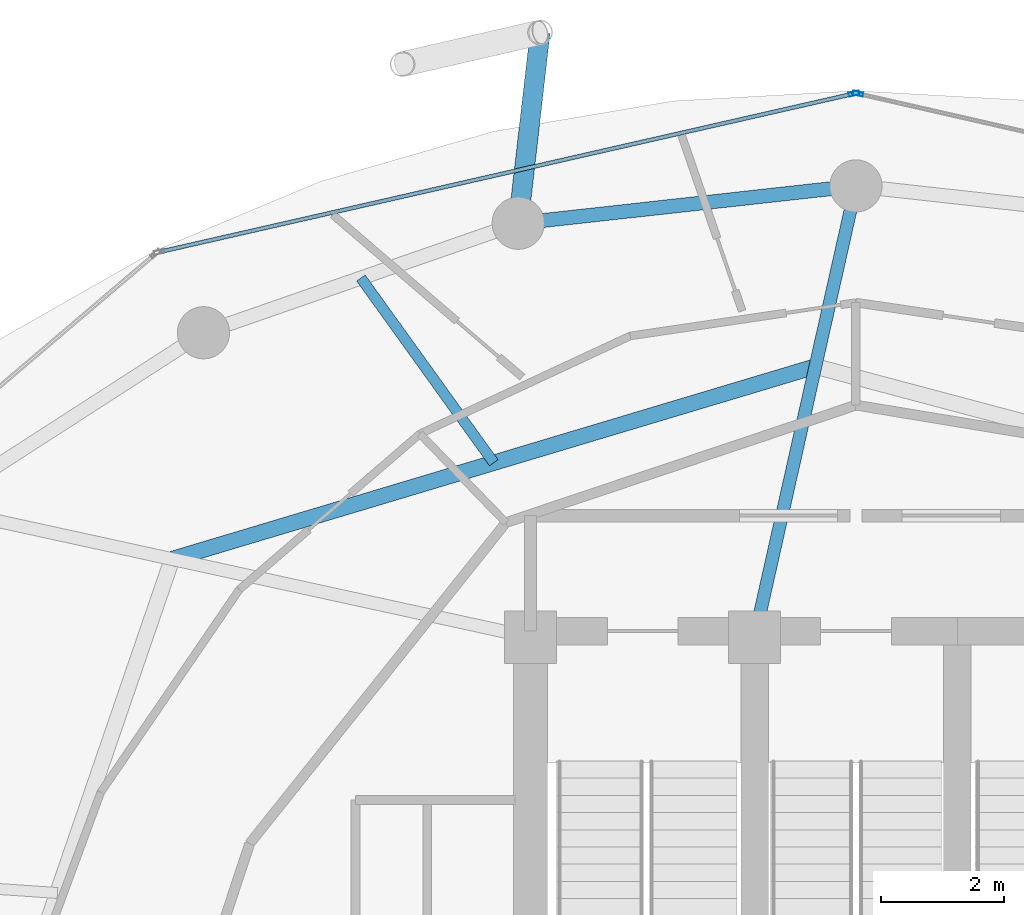
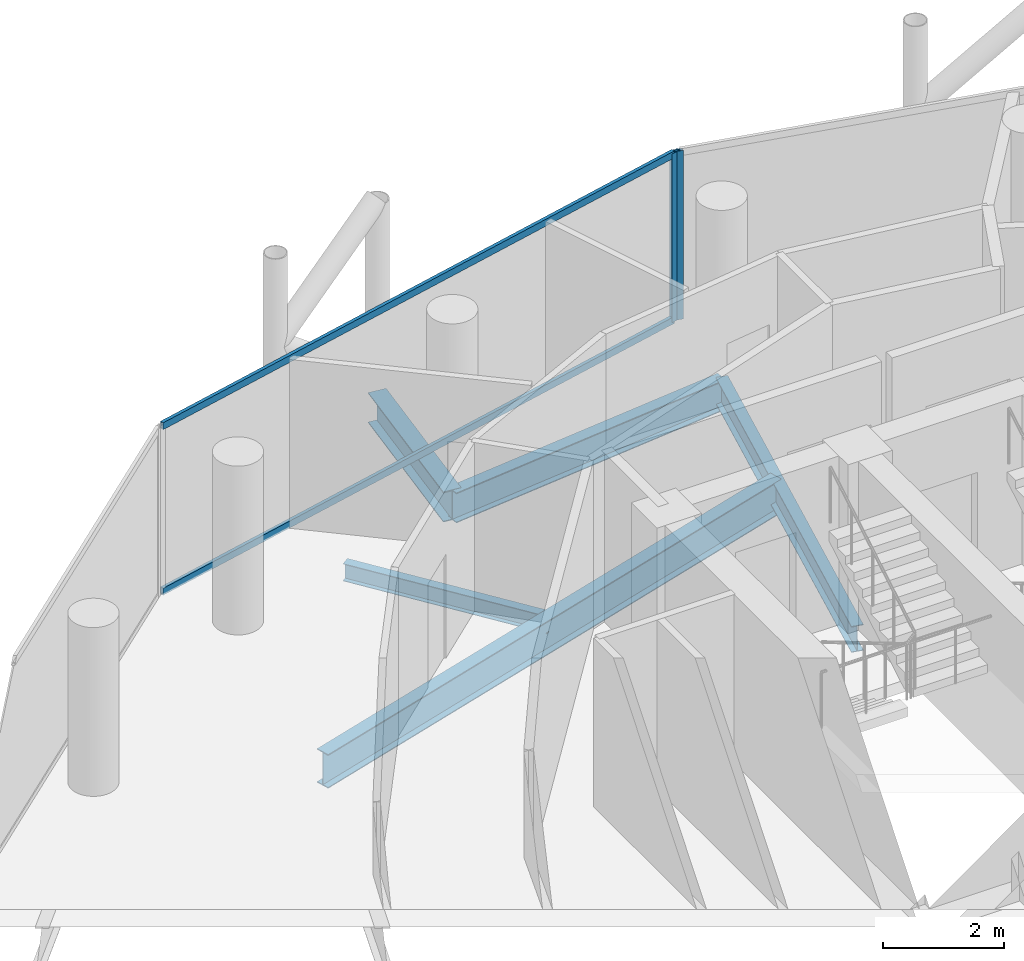
# One storey, part 19 of 27: 5 beams, 4 members, 2 elements without a shape of their own.
"""IFC4 building model written with IfcOpenShell, lengths in metres."""

import ifcopenshell
import ifcopenshell.guid

model = None  # the IFC model being written
_history = None  # IfcOwnerHistory: only IFC2X3 demands one
_inside = {}  # id of a spatial element -> (the spatial element, [elements in it])
_under = {}  # id of a project, library or spatial element -> (it, [spatial elements below it])
_declared = {}  # id of a project -> (the project, [libraries it declares])
_typed = {}  # id of a type object -> (the type object, [elements of that type])
_made_of = {}  # id of a material, layer set ... -> (it, [elements and type objects made of it])


def new_model(schema):
    """Start an empty IFC model of exactly this schema.

    Asked for "IFC4X3", IfcOpenShell would pick the latest addendum, in which some entities
    have other attributes; the version numbers below select the first issue.
    IFC2X3 requires an IfcOwnerHistory on every rooted entity: one is made here for all.
    """
    global model, _history
    if schema == "IFC4X3":
        model = ifcopenshell.file(schema_version=(4, 3, 0, 0))
    else:
        model = ifcopenshell.file(schema=schema)
    _inside.clear()
    _under.clear()
    _declared.clear()
    _typed.clear()
    _made_of.clear()
    _history = None
    if model.schema == "IFC2X3":
        org = make("IfcOrganization", Name="unknown")
        user = make(
            "IfcPersonAndOrganization",
            ThePerson=make("IfcPerson", FamilyName="unknown"),
            TheOrganization=org,
        )
        app = make(
            "IfcApplication",
            ApplicationDeveloper=org,
            Version="unknown",
            ApplicationFullName="unknown",
            ApplicationIdentifier="unknown",
        )
        _history = make(
            "IfcOwnerHistory",
            OwningUser=user,
            OwningApplication=app,
            ChangeAction="ADDED",
            CreationDate=0,
        )
    return model


def make(cls, **values):
    """One entity of the class cls with the attributes given. An attribute that is None is left unset."""
    return model.create_entity(
        cls, **{name: value for name, value in values.items() if value is not None}
    )


def rooted(cls, **values):
    """An entity with a GlobalId (a new one), such as an element, a storey or a relation."""
    return make(cls, GlobalId=ifcopenshell.guid.new(), OwnerHistory=_history, **values)


def si_unit(unit_type, name, prefix=None):
    """IfcSIUnit, for example si_unit("LENGTHUNIT", "METRE", prefix="MILLI")."""
    return make("IfcSIUnit", UnitType=unit_type, Prefix=prefix, Name=name)


def assignment(units):
    """IfcUnitAssignment: the units of a project."""
    return None if units is None else make("IfcUnitAssignment", Units=units)


def point(xyz):
    """IfcCartesianPoint."""
    return None if xyz is None else make("IfcCartesianPoint", Coordinates=xyz)


def direction(xyz):
    """IfcDirection."""
    return None if xyz is None else make("IfcDirection", DirectionRatios=xyz)


def frame(location, z_axis=None, x_axis=None):
    """IfcAxis2Placement3D, a coordinate frame: its origin and axes. An axis left out is left unset."""
    return make(
        "IfcAxis2Placement3D",
        Location=point(location),
        Axis=direction(z_axis),
        RefDirection=direction(x_axis),
    )


def frame_2d(location, x_axis=None):
    """IfcAxis2Placement2D, a coordinate frame in the plane: its origin and x axis."""
    return make(
        "IfcAxis2Placement2D", Location=point(location), RefDirection=direction(x_axis)
    )


def origin():
    """The frame at (0, 0, 0) with its axes left unset."""
    return frame((0.0, 0.0, 0.0))


def origin_2d():
    """The frame at (0, 0) in the plane with its x axis left unset."""
    return frame_2d((0.0, 0.0))


def place(relative_to, where):
    """IfcLocalPlacement: puts the frame where relative to a parent placement (None: the world)."""
    return make(
        "IfcLocalPlacement", PlacementRelTo=relative_to, RelativePlacement=where
    )


def context(
    kind, dimensions, precision=None, world=None, true_north=None, identifier=None
):
    """IfcGeometricRepresentationContext, for example the 3D "Model" context."""
    return make(
        "IfcGeometricRepresentationContext",
        ContextIdentifier=identifier,
        ContextType=kind,
        CoordinateSpaceDimension=dimensions,
        Precision=precision,
        WorldCoordinateSystem=world,
        TrueNorth=true_north,
    )


def subcontext(parent, identifier, kind, view, scale=None):
    """IfcGeometricRepresentationSubContext, for example "Body" below "Model"."""
    return make(
        "IfcGeometricRepresentationSubContext",
        ContextIdentifier=identifier,
        ContextType=kind,
        ParentContext=parent,
        TargetScale=scale,
        TargetView=view,
    )


def project(units=None, contexts=None):
    """IfcProject with its units and contexts."""
    return rooted(
        "IfcProject",
        Name="project",
        RepresentationContexts=contexts,
        UnitsInContext=assignment(units),
    )


def spatial(cls, under=None, at=None, **own):
    """A site, building, storey or space (cls), placed at a placement, below another one or the project."""
    s = rooted(cls, ObjectPlacement=at, **own)
    if under is not None:
        _under.setdefault(under.id(), (under, []))[1].append(s)
    return s


def profile(cls, at=None, kind="AREA", **sizes):
    """A parametric profile (cls). Its sizes go by their IFC names, for example OverallWidth=200.0."""
    return make(cls, ProfileType=kind, Position=at, **sizes)


def hollow_rectangle(**sizes):
    """IfcRectangleHollowProfileDef."""
    return profile("IfcRectangleHollowProfileDef", **sizes)


def i_section(**sizes):
    """IfcIShapeProfileDef."""
    return profile("IfcIShapeProfileDef", **sizes)


def extrude(swept, where, along, depth):
    """IfcExtrudedAreaSolid: the profile swept, set in the frame where, extruded along a direction by depth."""
    return make(
        "IfcExtrudedAreaSolid",
        SweptArea=swept,
        Position=where,
        ExtrudedDirection=direction(along),
        Depth=depth,
    )


def shape(context_of_items, identifier, shape_type, items):
    """IfcShapeRepresentation: the items that make up one representation, for example the "Body"."""
    return make(
        "IfcShapeRepresentation",
        ContextOfItems=context_of_items,
        RepresentationIdentifier=identifier,
        RepresentationType=shape_type,
        Items=items,
    )


def material(Name=None, Category=None):
    """IfcMaterial."""
    return make("IfcMaterial", Name=Name, Category=Category)


def layer(
    of_material, thickness, ventilated=None, Name=None, Category=None, Priority=None
):
    """IfcMaterialLayer: one layer of a wall or slab, of a material (None: an air gap)."""
    return make(
        "IfcMaterialLayer",
        Material=of_material,
        LayerThickness=thickness,
        IsVentilated=ventilated,
        Name=Name,
        Category=Category,
        Priority=Priority,
    )


def layer_set(layers, Name=None):
    """IfcMaterialLayerSet."""
    return make("IfcMaterialLayerSet", MaterialLayers=layers, LayerSetName=Name)


def material_profile(
    of_material, cross_section, Name=None, Category=None, Priority=None
):
    """IfcMaterialProfile: a cross section and its material."""
    return make(
        "IfcMaterialProfile",
        Name=Name,
        Material=of_material,
        Profile=cross_section,
        Priority=Priority,
        Category=Category,
    )


def profile_set(profiles, Name=None, composite=None):
    """IfcMaterialProfileSet."""
    return make(
        "IfcMaterialProfileSet",
        Name=Name,
        MaterialProfiles=profiles,
        CompositeProfile=composite,
    )


def made_of(thing, what):
    """Note that an element or type object is made of a material, layer set ...; save() writes the relation."""
    if what is not None:
        _made_of.setdefault(what.id(), (what, []))[1].append(thing)
    return thing


def type_object(cls, material=None, **own):
    """A type object (cls), such as IfcWallType, which elements share."""
    return made_of(rooted(cls, **own), material)


def element(
    cls,
    number,
    at=None,
    inside=None,
    cuts=None,
    type_object=None,
    material=None,
    context=None,
    identifier="Body",
    shape_type=None,
    held_by="IfcProductDefinitionShape",
    body=None,
    shapes=None,
    **own,
):
    """One element of the class cls, such as IfcWall. Its Tag is "e" and its number.

    at: its placement. inside: the storey or other place that contains it. cuts: it is an
    opening in that element (IfcRelVoidsElement). A single representation is given by context,
    identifier, shape_type and body (its items); several are given by shapes. held_by: the class
    of the entity that holds the representations. save() writes the other relations.
    """
    e = rooted(cls, Tag="e%d" % number, ObjectPlacement=at, **own)
    if body is not None:
        shapes = [shape(context, identifier, shape_type, body)]
    if shapes is not None:
        e.Representation = make(held_by, Representations=shapes)
    if inside is not None:
        _inside.setdefault(inside.id(), (inside, []))[1].append(e)
    if cuts is not None:
        rooted(
            "IfcRelVoidsElement", RelatingBuildingElement=cuts, RelatedOpeningElement=e
        )
    if type_object is not None:
        _typed.setdefault(type_object.id(), (type_object, []))[1].append(e)
    return made_of(e, material)


def aggregate(whole, parts):
    """IfcRelAggregates: a whole, such as a stair, and the parts it consists of."""
    return rooted("IfcRelAggregates", RelatingObject=whole, RelatedObjects=parts)


def save(model, path):
    """Write the relations noted so far, then the file.

    IfcRelAggregates (storeys below a building ...), IfcRelContainedInSpatialStructure (elements
    in a storey), IfcRelDefinesByType, IfcRelAssociatesMaterial and IfcRelDeclares: one each for
    every whole, place, type object, material and project.
    """
    for whole, parts in _under.values():
        aggregate(whole, parts)
    for where, things in _inside.values():
        rooted(
            "IfcRelContainedInSpatialStructure",
            RelatedElements=things,
            RelatingStructure=where,
        )
    for kind, things in _typed.values():
        rooted("IfcRelDefinesByType", RelatedObjects=things, RelatingType=kind)
    for what, things in _made_of.values():
        rooted("IfcRelAssociatesMaterial", RelatedObjects=things, RelatingMaterial=what)
    for by, libraries in _declared.values():
        rooted("IfcRelDeclares", RelatingContext=by, RelatedDefinitions=libraries)
    model.write(path)


model = new_model("IFC4")

# Units and contexts
model_context = context("Model", 3, precision=1e-05, world=origin(), true_north=direction((0.0, 1.0)))
body_context = subcontext(model_context, "Body", "Model", "MODEL_VIEW")
ifc_project = project(units=[si_unit("LENGTHUNIT", "METRE"), si_unit("AREAUNIT", "SQUARE_METRE"), si_unit("VOLUMEUNIT", "CUBIC_METRE"), si_unit("PLANEANGLEUNIT", "RADIAN"), si_unit("MASSUNIT", "GRAM", prefix="KILO")], contexts=[model_context])

# Site, building, storey
site_placement = place(None, origin())
site = spatial("IfcSite", under=ifc_project, at=site_placement, CompositionType="ELEMENT")
building_placement = place(site_placement, origin())
building = spatial("IfcBuilding", under=site, at=building_placement, Name="Nuhasar Tower", CompositionType="ELEMENT")
storey_placement = place(building_placement, frame((0.0, 0.0, 244.64990234375)))
storey = spatial("IfcBuildingStorey", under=building, at=storey_placement, Name="L60", CompositionType="ELEMENT", Elevation=244.64990234375)

# Beams
ifc_material_1 = material(Name="Steel S355", Category="steel")
ifc_material_profile_1 = material_profile(ifc_material_1, i_section(OverallWidth=0.25390625, OverallDepth=0.68408203125, WebThickness=0.012451171875, FlangeThickness=0.018798828125, at=origin_2d()), Name="W27X94")
ifc_profile_set_1 = profile_set([ifc_material_profile_1], Name="Steel S355")
beam_type_1 = type_object("IfcBeamType", Name="BM-INRING-W27X94", PredefinedType="BEAM", material=ifc_profile_set_1)
beam_1_placement = place(storey_placement, frame((38.340087890625, 41.7099609375, -0.581787109375), z_axis=(-0.957973628187, -0.28685628405, 0.0), x_axis=(0.28685628405, -0.957973628187, 0.0)))
element("IfcBeam", 1, at=beam_1_placement, inside=storey, type_object=beam_type_1, Name="L60 Inner Header Beam 06", PredefinedType="BEAM", context=body_context, shape_type="SweptSolid", body=[
    extrude(i_section(OverallWidth=0.25390625, OverallDepth=0.68408203125, WebThickness=0.012451171875, FlangeThickness=0.018798828125, at=origin_2d()), origin(), (0.0, 0.0, 1.0), 10.935546875),
])
ifc_material_profile_2 = material_profile(ifc_material_1, i_section(OverallWidth=0.1708984375, OverallDepth=0.35205078125, WebThickness=0.0068359375, FlangeThickness=0.009765625, at=origin_2d()), Name="W14X30")
ifc_profile_set_2 = profile_set([ifc_material_profile_2], Name="Steel S355")
beam_type_2 = type_object("IfcBeamType", Name="BM-JST-W14X30", PredefinedType="JOIST", material=ifc_profile_set_2)
beam_2_placement = place(storey_placement, frame((33.10205078125, 40.14208984375, -0.416015625), z_axis=(-0.58390205555, 0.811824112431, 0.0), x_axis=(-0.811824112431, -0.58390205555, 0.0)))
element("IfcBeam", 2, at=beam_2_placement, inside=storey, type_object=beam_type_2, Name="L60 Secondary Floor Joist 06", PredefinedType="JOIST", context=body_context, shape_type="SweptSolid", body=[
    extrude(i_section(OverallWidth=0.1708984375, OverallDepth=0.35205078125, WebThickness=0.0068359375, FlangeThickness=0.009765625, at=origin_2d()), origin(), (0.0, 0.0, 1.0), 3.706298828125),
])
ifc_material_profile_3 = material_profile(ifc_material_1, i_section(OverallWidth=0.208984375, OverallDepth=0.528076171875, WebThickness=0.009521484375, FlangeThickness=0.01318359375, at=origin_2d()), Name="W21X55")
ifc_profile_set_3 = profile_set([ifc_material_profile_3], Name="Steel S355")
beam_type_3 = type_object("IfcBeamType", Name="BM-RAD-W21X55", PredefinedType="BEAM", material=ifc_profile_set_3)
beam_3_placement = place(storey_placement, frame((37.35009765625, 37.300048828125, -0.50390625), z_axis=(0.219030156142, 0.975718089768, 0.0), x_axis=(-0.975718089768, 0.219030156142, 0.0)))
element("IfcBeam", 3, at=beam_3_placement, inside=storey, type_object=beam_type_3, Name="L60 Radial Floor Girder 06", PredefinedType="BEAM", context=body_context, shape_type="SweptSolid", body=[
    extrude(i_section(OverallWidth=0.208984375, OverallDepth=0.528076171875, WebThickness=0.009521484375, FlangeThickness=0.01318359375, at=origin_2d()), origin(), (0.0, 0.0, 1.0), 7.53271484375),
])
ifc_material_profile_4 = material_profile(ifc_material_1, i_section(OverallWidth=0.22802734375, OverallDepth=0.60791015625, WebThickness=0.01123046875, FlangeThickness=0.017333984375, at=origin_2d()), Name="W24X76")
ifc_profile_set_4 = profile_set([ifc_material_profile_4], Name="Steel S355")
beam_type_4 = type_object("IfcBeamType", Name="BM-RING-W24X76", PredefinedType="SPANDREL", material=ifc_profile_set_4)
beam_4_placement = place(storey_placement, frame((39.0, 44.64990234375, -0.5439453125), z_axis=(-0.993947060915, -0.109860093292, 0.0), x_axis=(0.109860093292, -0.993947060915, 0.0)))
element("IfcBeam", 4, at=beam_4_placement, inside=storey, type_object=beam_type_4, Name="L60 Perimeter Ring Spandrel 07", PredefinedType="SPANDREL", context=body_context, shape_type="SweptSolid", body=[
    extrude(i_section(OverallWidth=0.22802734375, OverallDepth=0.60791015625, WebThickness=0.01123046875, FlangeThickness=0.017333984375, at=origin_2d()), origin(), (0.0, 0.0, 1.0), 5.533447265625),
])
ifc_material_profile_5 = material_profile(ifc_material_1, i_section(OverallWidth=0.323974609375, OverallDepth=0.611083984375, WebThickness=0.0126953125, FlangeThickness=0.01904296875, at=origin_2d()), Name="W24X104")
ifc_profile_set_5 = profile_set([ifc_material_profile_5], Name="Steel S355")
beam_type_5 = type_object("IfcBeamType", Name="BM-TIE-W24X104", PredefinedType="BEAM", material=ifc_profile_set_5)
beam_5_placement = place(storey_placement, frame((33.5, 44.0419921875, -0.544921875), z_axis=(0.114132222314, 0.993465568517, 0.0), x_axis=(-0.993465568517, 0.114132222314, 0.0)))
element("IfcBeam", 5, at=beam_5_placement, inside=storey, type_object=beam_type_5, Name="L60 Exoskeleton Node Tie Beam 04", PredefinedType="BEAM", context=body_context, shape_type="SweptSolid", body=[
    extrude(i_section(OverallWidth=0.323974609375, OverallDepth=0.611083984375, WebThickness=0.0126953125, FlangeThickness=0.01904296875, at=origin_2d()), origin(), (0.0, 0.0, 1.0), 3.12744140625),
])

# Curtain wall, member
ifc_material_2 = material(Name="Aluminium 6063-T6", Category="aluminium")
ifc_layer = layer(ifc_material_2, 0.18994140625)
ifc_layer_set = layer_set([ifc_layer], Name="Aluminium 6063-T6")
curtain_wall_type = type_object("IfcCurtainWallType", Name="CW-Z3-RES", PredefinedType="NOTDEFINED", material=ifc_layer_set)
curtain_wall_1_placement = place(storey_placement, origin())
curtain_wall_1 = element("IfcCurtainWall", 6, at=curtain_wall_1_placement, inside=storey, type_object=curtain_wall_type, Name="L60 Unitised Curtain Wall 03", PredefinedType="NOTDEFINED")
ifc_material_profile_6 = material_profile(ifc_material_2, hollow_rectangle(XDim=0.06494140625, YDim=0.169921875, WallThickness=0.0048828125, at=origin_2d()), Name="CWM-4")
ifc_profile_set_6 = profile_set([ifc_material_profile_6], Name="Aluminium 6063-T6")
member_type_1 = type_object("IfcMemberType", Name="CW-MUL-S4", PredefinedType="MULLION", material=ifc_profile_set_6)
member_1_placement = place(storey_placement, frame((39.03173828125, 46.15283203125, 0.0), z_axis=(0.0, 0.0, 1.0), x_axis=(-0.222243176313, -0.974991266926, 0.0)))
member_1 = element("IfcMember", 7, at=member_1_placement, type_object=member_type_1, Name="CW-Z3 mullion 2", PredefinedType="MULLION", context=body_context, shape_type="SweptSolid", body=[
    extrude(hollow_rectangle(XDim=0.06494140625, YDim=0.169921875, WallThickness=0.0048828125, at=origin_2d()), origin(), (0.0, 0.0, 1.0), 3.41015625),
])
aggregate(curtain_wall_1, [member_1])

# Curtain wall, members
curtain_wall_2_placement = place(storey_placement, origin())
curtain_wall_2 = element("IfcCurtainWall", 8, at=curtain_wall_2_placement, inside=storey, type_object=curtain_wall_type, Name="L60 Unitised Curtain Wall 04", PredefinedType="NOTDEFINED")
member_2_placement = place(storey_placement, frame((38.96826171875, 46.15283203125, 0.0), z_axis=(0.0, 0.0, 1.0), x_axis=(0.222243176313, -0.974991266926, 0.0)))
member_2 = element("IfcMember", 9, at=member_2_placement, type_object=member_type_1, Name="CW-Z3 mullion 1", PredefinedType="MULLION", context=body_context, shape_type="SweptSolid", body=[
    extrude(hollow_rectangle(XDim=0.06494140625, YDim=0.169921875, WallThickness=0.0048828125, at=origin_2d()), origin(), (0.0, 0.0, 1.0), 3.41015625),
])
ifc_material_profile_7 = material_profile(ifc_material_2, hollow_rectangle(XDim=0.06494140625, YDim=0.139892578125, WallThickness=0.00439453125, at=origin_2d()), Name="CWT-4")
ifc_profile_set_7 = profile_set([ifc_material_profile_7], Name="Aluminium 6063-T6")
member_type_2 = type_object("IfcMemberType", Name="CW-TRN-S4", PredefinedType="USERDEFINED", material=ifc_profile_set_7)
member_3_placement = place(storey_placement, frame((38.9365234375, 46.1455078125, 0.03271484375), z_axis=(-0.974994070913, -0.222230874732, 0.0), x_axis=(0.222230874732, -0.974994070913, 0.0)))
member_3 = element("IfcMember", 10, at=member_3_placement, type_object=member_type_2, Name="CW-Z3 transom 1.1", ObjectType="TRANSOM", PredefinedType="USERDEFINED", context=body_context, shape_type="SweptSolid", body=[
    extrude(hollow_rectangle(XDim=0.06494140625, YDim=0.139892578125, WallThickness=0.00439453125, at=origin_2d()), origin(), (0.0, 0.0, 1.0), 11.541748046875),
])
member_4_placement = place(storey_placement, frame((38.9365234375, 46.1455078125, 3.377685546875), z_axis=(-0.974994070913, -0.222230874732, 0.0), x_axis=(0.222230874732, -0.974994070913, 0.0)))
member_4 = element("IfcMember", 11, at=member_4_placement, type_object=member_type_2, Name="CW-Z3 transom 1.2", ObjectType="TRANSOM", PredefinedType="USERDEFINED", context=body_context, shape_type="SweptSolid", body=[
    extrude(hollow_rectangle(XDim=0.06494140625, YDim=0.139892578125, WallThickness=0.00439453125, at=origin_2d()), origin(), (0.0, 0.0, 1.0), 11.541748046875),
])
aggregate(curtain_wall_2, [member_2, member_3, member_4])

save(model, "model.ifc")
